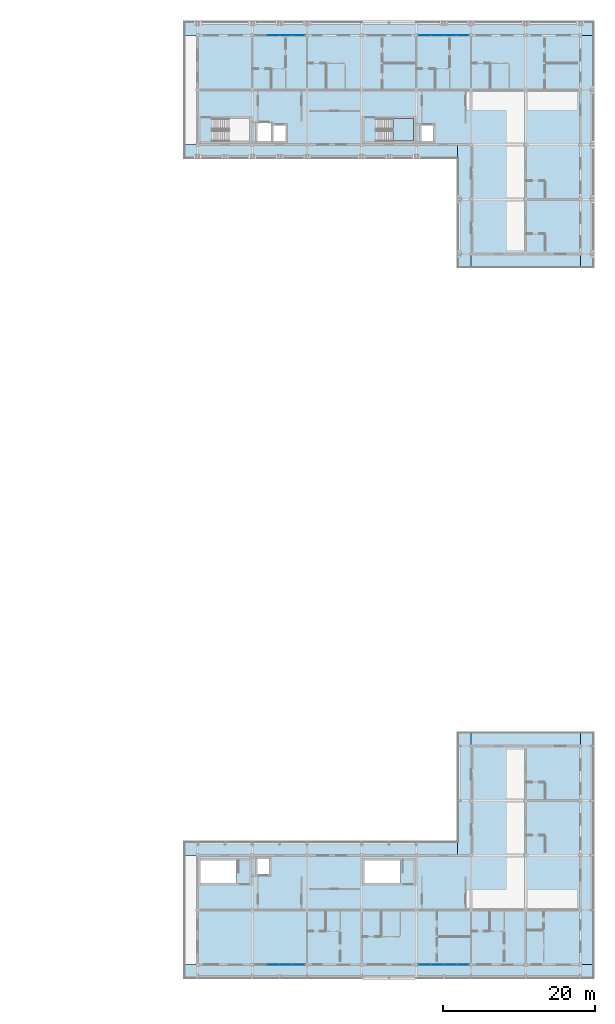
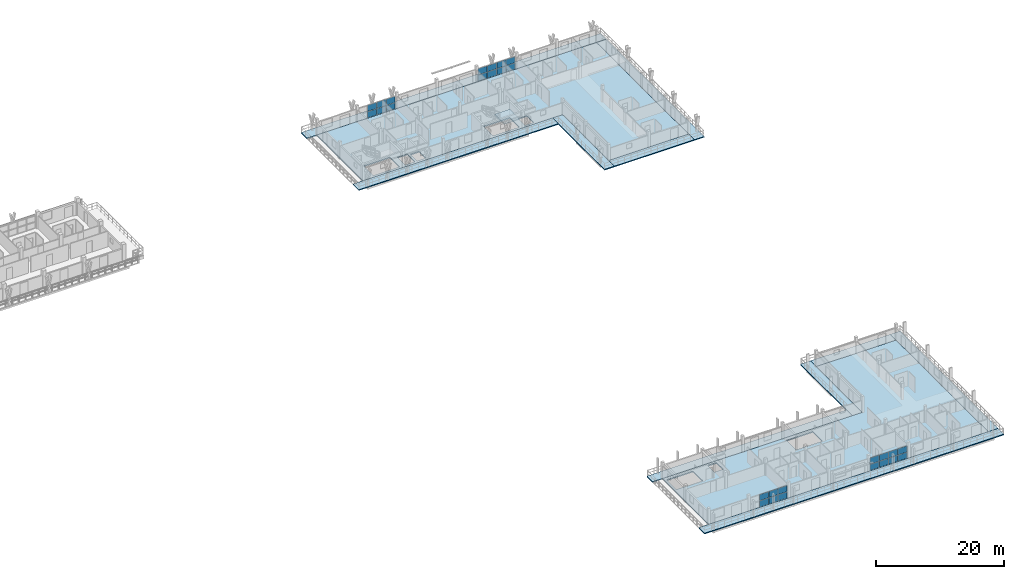
# One storey, part 28 of 56: 28 plates, 13 slabs, 5 elements without a shape of their own.
"""IFC4 building model written with IfcOpenShell, lengths in metres."""

import ifcopenshell
import ifcopenshell.guid

model = None  # the IFC model being written
_history = None  # IfcOwnerHistory: only IFC2X3 demands one
_inside = {}  # id of a spatial element -> (the spatial element, [elements in it])
_under = {}  # id of a project, library or spatial element -> (it, [spatial elements below it])
_declared = {}  # id of a project -> (the project, [libraries it declares])
_typed = {}  # id of a type object -> (the type object, [elements of that type])
_made_of = {}  # id of a material, layer set ... -> (it, [elements and type objects made of it])


def new_model(schema):
    """Start an empty IFC model of exactly this schema.

    Asked for "IFC4X3", IfcOpenShell would pick the latest addendum, in which some entities
    have other attributes; the version numbers below select the first issue.
    IFC2X3 requires an IfcOwnerHistory on every rooted entity: one is made here for all.
    """
    global model, _history
    if schema == "IFC4X3":
        model = ifcopenshell.file(schema_version=(4, 3, 0, 0))
    else:
        model = ifcopenshell.file(schema=schema)
    _inside.clear()
    _under.clear()
    _declared.clear()
    _typed.clear()
    _made_of.clear()
    _history = None
    if model.schema == "IFC2X3":
        org = make("IfcOrganization", Name="unknown")
        user = make(
            "IfcPersonAndOrganization",
            ThePerson=make("IfcPerson", FamilyName="unknown"),
            TheOrganization=org,
        )
        app = make(
            "IfcApplication",
            ApplicationDeveloper=org,
            Version="unknown",
            ApplicationFullName="unknown",
            ApplicationIdentifier="unknown",
        )
        _history = make(
            "IfcOwnerHistory",
            OwningUser=user,
            OwningApplication=app,
            ChangeAction="ADDED",
            CreationDate=0,
        )
    return model


def make(cls, **values):
    """One entity of the class cls with the attributes given. An attribute that is None is left unset."""
    return model.create_entity(
        cls, **{name: value for name, value in values.items() if value is not None}
    )


def rooted(cls, **values):
    """An entity with a GlobalId (a new one), such as an element, a storey or a relation."""
    return make(cls, GlobalId=ifcopenshell.guid.new(), OwnerHistory=_history, **values)


def si_unit(unit_type, name, prefix=None):
    """IfcSIUnit, for example si_unit("LENGTHUNIT", "METRE", prefix="MILLI")."""
    return make("IfcSIUnit", UnitType=unit_type, Prefix=prefix, Name=name)


def assignment(units):
    """IfcUnitAssignment: the units of a project."""
    return None if units is None else make("IfcUnitAssignment", Units=units)


def point(xyz):
    """IfcCartesianPoint."""
    return None if xyz is None else make("IfcCartesianPoint", Coordinates=xyz)


def direction(xyz):
    """IfcDirection."""
    return None if xyz is None else make("IfcDirection", DirectionRatios=xyz)


def frame(location, z_axis=None, x_axis=None):
    """IfcAxis2Placement3D, a coordinate frame: its origin and axes. An axis left out is left unset."""
    return make(
        "IfcAxis2Placement3D",
        Location=point(location),
        Axis=direction(z_axis),
        RefDirection=direction(x_axis),
    )


def frame_2d(location, x_axis=None):
    """IfcAxis2Placement2D, a coordinate frame in the plane: its origin and x axis."""
    return make(
        "IfcAxis2Placement2D", Location=point(location), RefDirection=direction(x_axis)
    )


def origin():
    """The frame at (0, 0, 0) with its axes left unset."""
    return frame((0.0, 0.0, 0.0))


def origin_2d():
    """The frame at (0, 0) in the plane with its x axis left unset."""
    return frame_2d((0.0, 0.0))


def place(relative_to, where):
    """IfcLocalPlacement: puts the frame where relative to a parent placement (None: the world)."""
    return make(
        "IfcLocalPlacement", PlacementRelTo=relative_to, RelativePlacement=where
    )


def context(
    kind, dimensions, precision=None, world=None, true_north=None, identifier=None
):
    """IfcGeometricRepresentationContext, for example the 3D "Model" context."""
    return make(
        "IfcGeometricRepresentationContext",
        ContextIdentifier=identifier,
        ContextType=kind,
        CoordinateSpaceDimension=dimensions,
        Precision=precision,
        WorldCoordinateSystem=world,
        TrueNorth=true_north,
    )


def subcontext(parent, identifier, kind, view, scale=None):
    """IfcGeometricRepresentationSubContext, for example "Body" below "Model"."""
    return make(
        "IfcGeometricRepresentationSubContext",
        ContextIdentifier=identifier,
        ContextType=kind,
        ParentContext=parent,
        TargetScale=scale,
        TargetView=view,
    )


def project(units=None, contexts=None):
    """IfcProject with its units and contexts."""
    return rooted(
        "IfcProject",
        Name="project",
        RepresentationContexts=contexts,
        UnitsInContext=assignment(units),
    )


def spatial(cls, under=None, at=None, **own):
    """A site, building, storey or space (cls), placed at a placement, below another one or the project."""
    s = rooted(cls, ObjectPlacement=at, **own)
    if under is not None:
        _under.setdefault(under.id(), (under, []))[1].append(s)
    return s


def polyline(points):
    """IfcPolyline through the points."""
    return make("IfcPolyline", Points=[point(p) for p in points])


def profile(cls, at=None, kind="AREA", **sizes):
    """A parametric profile (cls). Its sizes go by their IFC names, for example OverallWidth=200.0."""
    return make(cls, ProfileType=kind, Position=at, **sizes)


def rectangle(**sizes):
    """IfcRectangleProfileDef."""
    return profile("IfcRectangleProfileDef", **sizes)


def outline(outer, holes=None, kind="AREA"):
    """IfcArbitraryClosedProfileDef: a profile drawn as a closed curve; with holes, ...WithVoids."""
    if holes is None:
        return make("IfcArbitraryClosedProfileDef", ProfileType=kind, OuterCurve=outer)
    return make(
        "IfcArbitraryProfileDefWithVoids",
        ProfileType=kind,
        OuterCurve=outer,
        InnerCurves=holes,
    )


def extrude(swept, where, along, depth):
    """IfcExtrudedAreaSolid: the profile swept, set in the frame where, extruded along a direction by depth."""
    return make(
        "IfcExtrudedAreaSolid",
        SweptArea=swept,
        Position=where,
        ExtrudedDirection=direction(along),
        Depth=depth,
    )


def shape(context_of_items, identifier, shape_type, items):
    """IfcShapeRepresentation: the items that make up one representation, for example the "Body"."""
    return make(
        "IfcShapeRepresentation",
        ContextOfItems=context_of_items,
        RepresentationIdentifier=identifier,
        RepresentationType=shape_type,
        Items=items,
    )


def material(Name=None, Category=None):
    """IfcMaterial."""
    return make("IfcMaterial", Name=Name, Category=Category)


def layer(
    of_material, thickness, ventilated=None, Name=None, Category=None, Priority=None
):
    """IfcMaterialLayer: one layer of a wall or slab, of a material (None: an air gap)."""
    return make(
        "IfcMaterialLayer",
        Material=of_material,
        LayerThickness=thickness,
        IsVentilated=ventilated,
        Name=Name,
        Category=Category,
        Priority=Priority,
    )


def layer_set(layers, Name=None):
    """IfcMaterialLayerSet."""
    return make("IfcMaterialLayerSet", MaterialLayers=layers, LayerSetName=Name)


def made_of(thing, what):
    """Note that an element or type object is made of a material, layer set ...; save() writes the relation."""
    if what is not None:
        _made_of.setdefault(what.id(), (what, []))[1].append(thing)
    return thing


def type_object(cls, material=None, **own):
    """A type object (cls), such as IfcWallType, which elements share."""
    return made_of(rooted(cls, **own), material)


def element(
    cls,
    number,
    at=None,
    inside=None,
    cuts=None,
    type_object=None,
    material=None,
    context=None,
    identifier="Body",
    shape_type=None,
    held_by="IfcProductDefinitionShape",
    body=None,
    shapes=None,
    **own,
):
    """One element of the class cls, such as IfcWall. Its Tag is "e" and its number.

    at: its placement. inside: the storey or other place that contains it. cuts: it is an
    opening in that element (IfcRelVoidsElement). A single representation is given by context,
    identifier, shape_type and body (its items); several are given by shapes. held_by: the class
    of the entity that holds the representations. save() writes the other relations.
    """
    e = rooted(cls, Tag="e%d" % number, ObjectPlacement=at, **own)
    if body is not None:
        shapes = [shape(context, identifier, shape_type, body)]
    if shapes is not None:
        e.Representation = make(held_by, Representations=shapes)
    if inside is not None:
        _inside.setdefault(inside.id(), (inside, []))[1].append(e)
    if cuts is not None:
        rooted(
            "IfcRelVoidsElement", RelatingBuildingElement=cuts, RelatedOpeningElement=e
        )
    if type_object is not None:
        _typed.setdefault(type_object.id(), (type_object, []))[1].append(e)
    return made_of(e, material)


def aggregate(whole, parts):
    """IfcRelAggregates: a whole, such as a stair, and the parts it consists of."""
    return rooted("IfcRelAggregates", RelatingObject=whole, RelatedObjects=parts)


def save(model, path):
    """Write the relations noted so far, then the file.

    IfcRelAggregates (storeys below a building ...), IfcRelContainedInSpatialStructure (elements
    in a storey), IfcRelDefinesByType, IfcRelAssociatesMaterial and IfcRelDeclares: one each for
    every whole, place, type object, material and project.
    """
    for whole, parts in _under.values():
        aggregate(whole, parts)
    for where, things in _inside.values():
        rooted(
            "IfcRelContainedInSpatialStructure",
            RelatedElements=things,
            RelatingStructure=where,
        )
    for kind, things in _typed.values():
        rooted("IfcRelDefinesByType", RelatedObjects=things, RelatingType=kind)
    for what, things in _made_of.values():
        rooted("IfcRelAssociatesMaterial", RelatedObjects=things, RelatingMaterial=what)
    for by, libraries in _declared.values():
        rooted("IfcRelDeclares", RelatingContext=by, RelatedDefinitions=libraries)
    model.write(path)


model = new_model("IFC4")

# Units and contexts
model_context = context("Model", 3, precision=1e-05, world=origin(), true_north=direction((0.0, 1.0)))
body_context = subcontext(model_context, "Body", "Model", "MODEL_VIEW")
ifc_project = project(units=[si_unit("LENGTHUNIT", "METRE"), si_unit("AREAUNIT", "SQUARE_METRE"), si_unit("VOLUMEUNIT", "CUBIC_METRE"), si_unit("PLANEANGLEUNIT", "RADIAN"), si_unit("MASSUNIT", "GRAM", prefix="KILO")], contexts=[model_context])

# Site, building, storey
site_placement = place(None, origin())
site = spatial("IfcSite", under=ifc_project, at=site_placement, CompositionType="ELEMENT")
building_placement = place(site_placement, origin())
building = spatial("IfcBuilding", under=site, at=building_placement, Name="Suanplinth Sawtooth Commons", CompositionType="ELEMENT")
storey_placement = place(building_placement, frame((0.0, 0.0, 34.800048828125)))
storey = spatial("IfcBuildingStorey", under=building, at=storey_placement, Name="L10", CompositionType="ELEMENT", Elevation=34.800048828125)

# Curtain wall, plates
ifc_material_1 = material(Name="Anodized aluminium and low-E glazing", Category="aluminium")
curtain_wall_type = type_object("IfcCurtainWallType", Name="CW-06", PredefinedType="USERDEFINED", material=ifc_material_1)
curtain_wall_1_placement = place(storey_placement, origin())
curtain_wall_1 = element("IfcCurtainWall", 1, at=curtain_wall_1_placement, inside=storey, type_object=curtain_wall_type, Name="Curtain Wall CW-L10-B-LOUNGE-20", ObjectType="CURTAIN WALL", PredefinedType="USERDEFINED")
ifc_material_2 = material(Name="Tempered low-E double glazing", Category="glass")
ifc_layer_1 = layer(ifc_material_2, 0.028076171875, Name="Vision low-E insulated glazing unit 28mm")
ifc_layer_set_1 = layer_set([ifc_layer_1], Name="Tempered low-E double glazing")
plate_type = type_object("IfcPlateType", Name="PL-05", PredefinedType="CURTAIN_PANEL", material=ifc_layer_set_1)
plate_1_placement = place(storey_placement, frame((146.75634765625, 122.39990234375, 0.06494140625), z_axis=(0.0, 0.0, 1.0), x_axis=(1.0, 0.0, 0.0)))
plate_1 = element("IfcPlate", 2, at=plate_1_placement, type_object=plate_type, Name="CW-06 panel 2.1", PredefinedType="CURTAIN_PANEL", context=body_context, shape_type="SweptSolid", body=[
    extrude(rectangle(XDim=1.62255859375, YDim=0.028076171875, at=origin_2d()), origin(), (0.0, 0.0, 1.0), 1.157470703125),
])
plate_2_placement = place(storey_placement, frame((146.75634765625, 122.39990234375, 1.28759765625), z_axis=(0.0, 0.0, 1.0), x_axis=(1.0, 0.0, 0.0)))
plate_2 = element("IfcPlate", 3, at=plate_2_placement, type_object=plate_type, Name="CW-06 panel 2.2", PredefinedType="CURTAIN_PANEL", context=body_context, shape_type="SweptSolid", body=[
    extrude(rectangle(XDim=1.62255859375, YDim=0.028076171875, at=origin_2d()), origin(), (0.0, 0.0, 1.0), 1.157470703125),
])
plate_3_placement = place(storey_placement, frame((148.44384765625, 122.39990234375, 0.06494140625), z_axis=(0.0, 0.0, 1.0), x_axis=(1.0, 0.0, 0.0)))
plate_3 = element("IfcPlate", 4, at=plate_3_placement, type_object=plate_type, Name="CW-06 panel 3.1", PredefinedType="CURTAIN_PANEL", context=body_context, shape_type="SweptSolid", body=[
    extrude(rectangle(XDim=1.62255859375, YDim=0.028076171875, at=origin_2d()), origin(), (0.0, 0.0, 1.0), 1.157470703125),
])
plate_4_placement = place(storey_placement, frame((148.44384765625, 122.39990234375, 1.28759765625), z_axis=(0.0, 0.0, 1.0), x_axis=(1.0, 0.0, 0.0)))
plate_4 = element("IfcPlate", 5, at=plate_4_placement, type_object=plate_type, Name="CW-06 panel 3.2", PredefinedType="CURTAIN_PANEL", context=body_context, shape_type="SweptSolid", body=[
    extrude(rectangle(XDim=1.62255859375, YDim=0.028076171875, at=origin_2d()), origin(), (0.0, 0.0, 1.0), 1.157470703125),
])
plate_5_placement = place(storey_placement, frame((150.114990234375, 122.39990234375, 0.06494140625), z_axis=(0.0, 0.0, 1.0), x_axis=(1.0, 0.0, 0.0)))
plate_5 = element("IfcPlate", 6, at=plate_5_placement, type_object=plate_type, Name="CW-06 panel 4.1", PredefinedType="CURTAIN_PANEL", context=body_context, shape_type="SweptSolid", body=[
    extrude(rectangle(XDim=1.590087890625, YDim=0.028076171875, at=origin_2d()), origin(), (0.0, 0.0, 1.0), 1.157470703125),
])
plate_6_placement = place(storey_placement, frame((150.114990234375, 122.39990234375, 1.28759765625), z_axis=(0.0, 0.0, 1.0), x_axis=(1.0, 0.0, 0.0)))
plate_6 = element("IfcPlate", 7, at=plate_6_placement, type_object=plate_type, Name="CW-06 panel 4.2", PredefinedType="CURTAIN_PANEL", context=body_context, shape_type="SweptSolid", body=[
    extrude(rectangle(XDim=1.590087890625, YDim=0.028076171875, at=origin_2d()), origin(), (0.0, 0.0, 1.0), 1.157470703125),
])
aggregate(curtain_wall_1, [plate_1, plate_2, plate_3, plate_4, plate_5, plate_6])

curtain_wall_2_placement = place(storey_placement, origin())
curtain_wall_2 = element("IfcCurtainWall", 8, at=curtain_wall_2_placement, inside=storey, type_object=curtain_wall_type, Name="Curtain Wall CW-L10-B-LOUNGE-23", ObjectType="CURTAIN WALL", PredefinedType="USERDEFINED")
plate_7_placement = place(storey_placement, frame((166.68505859375, 122.39990234375, 0.06494140625), z_axis=(0.0, 0.0, 1.0), x_axis=(1.0, 0.0, 0.0)))
plate_7 = element("IfcPlate", 9, at=plate_7_placement, type_object=plate_type, Name="CW-06 panel 1.1", PredefinedType="CURTAIN_PANEL", context=body_context, shape_type="SweptSolid", body=[
    extrude(rectangle(XDim=1.590087890625, YDim=0.028076171875, at=origin_2d()), origin(), (0.0, 0.0, 1.0), 1.157470703125),
])
plate_8_placement = place(storey_placement, frame((166.68505859375, 122.39990234375, 1.28759765625), z_axis=(0.0, 0.0, 1.0), x_axis=(1.0, 0.0, 0.0)))
plate_8 = element("IfcPlate", 10, at=plate_8_placement, type_object=plate_type, Name="CW-06 panel 1.2", PredefinedType="CURTAIN_PANEL", context=body_context, shape_type="SweptSolid", body=[
    extrude(rectangle(XDim=1.590087890625, YDim=0.028076171875, at=origin_2d()), origin(), (0.0, 0.0, 1.0), 1.157470703125),
])
plate_9_placement = place(storey_placement, frame((168.356201171875, 122.39990234375, 0.06494140625), z_axis=(0.0, 0.0, 1.0), x_axis=(1.0, 0.0, 0.0)))
plate_9 = element("IfcPlate", 11, at=plate_9_placement, type_object=plate_type, Name="CW-06 panel 2.1", PredefinedType="CURTAIN_PANEL", context=body_context, shape_type="SweptSolid", body=[
    extrude(rectangle(XDim=1.62255859375, YDim=0.028076171875, at=origin_2d()), origin(), (0.0, 0.0, 1.0), 1.157470703125),
])
plate_10_placement = place(storey_placement, frame((168.356201171875, 122.39990234375, 1.28759765625), z_axis=(0.0, 0.0, 1.0), x_axis=(1.0, 0.0, 0.0)))
plate_10 = element("IfcPlate", 12, at=plate_10_placement, type_object=plate_type, Name="CW-06 panel 2.2", PredefinedType="CURTAIN_PANEL", context=body_context, shape_type="SweptSolid", body=[
    extrude(rectangle(XDim=1.62255859375, YDim=0.028076171875, at=origin_2d()), origin(), (0.0, 0.0, 1.0), 1.157470703125),
])
plate_11_placement = place(storey_placement, frame((170.043701171875, 122.39990234375, 0.06494140625), z_axis=(0.0, 0.0, 1.0), x_axis=(1.0, 0.0, 0.0)))
plate_11 = element("IfcPlate", 13, at=plate_11_placement, type_object=plate_type, Name="CW-06 panel 3.1", PredefinedType="CURTAIN_PANEL", context=body_context, shape_type="SweptSolid", body=[
    extrude(rectangle(XDim=1.62255859375, YDim=0.028076171875, at=origin_2d()), origin(), (0.0, 0.0, 1.0), 1.157470703125),
])
plate_12_placement = place(storey_placement, frame((170.043701171875, 122.39990234375, 1.28759765625), z_axis=(0.0, 0.0, 1.0), x_axis=(1.0, 0.0, 0.0)))
plate_12 = element("IfcPlate", 14, at=plate_12_placement, type_object=plate_type, Name="CW-06 panel 3.2", PredefinedType="CURTAIN_PANEL", context=body_context, shape_type="SweptSolid", body=[
    extrude(rectangle(XDim=1.62255859375, YDim=0.028076171875, at=origin_2d()), origin(), (0.0, 0.0, 1.0), 1.157470703125),
])
plate_13_placement = place(storey_placement, frame((171.715087890625, 122.39990234375, 0.06494140625), z_axis=(0.0, 0.0, 1.0), x_axis=(1.0, 0.0, 0.0)))
plate_13 = element("IfcPlate", 15, at=plate_13_placement, type_object=plate_type, Name="CW-06 panel 4.1", PredefinedType="CURTAIN_PANEL", context=body_context, shape_type="SweptSolid", body=[
    extrude(rectangle(XDim=1.590087890625, YDim=0.028076171875, at=origin_2d()), origin(), (0.0, 0.0, 1.0), 1.157470703125),
])
plate_14_placement = place(storey_placement, frame((171.715087890625, 122.39990234375, 1.28759765625), z_axis=(0.0, 0.0, 1.0), x_axis=(1.0, 0.0, 0.0)))
plate_14 = element("IfcPlate", 16, at=plate_14_placement, type_object=plate_type, Name="CW-06 panel 4.2", PredefinedType="CURTAIN_PANEL", context=body_context, shape_type="SweptSolid", body=[
    extrude(rectangle(XDim=1.590087890625, YDim=0.028076171875, at=origin_2d()), origin(), (0.0, 0.0, 1.0), 1.157470703125),
])
aggregate(curtain_wall_2, [plate_7, plate_8, plate_9, plate_10, plate_11, plate_12, plate_13, plate_14])

curtain_wall_3_placement = place(storey_placement, origin())
curtain_wall_3 = element("IfcCurtainWall", 17, at=curtain_wall_3_placement, inside=storey, type_object=curtain_wall_type, Name="Curtain Wall CW-L10-C-LOUNGE-20", ObjectType="CURTAIN WALL", PredefinedType="USERDEFINED")
plate_15_placement = place(storey_placement, frame((146.75634765625, 0.0, 0.06494140625), z_axis=(0.0, 0.0, 1.0), x_axis=(1.0, 0.0, 0.0)))
plate_15 = element("IfcPlate", 18, at=plate_15_placement, type_object=plate_type, Name="CW-06 panel 2.1", PredefinedType="CURTAIN_PANEL", context=body_context, shape_type="SweptSolid", body=[
    extrude(rectangle(XDim=1.62255859375, YDim=0.028076171875, at=origin_2d()), origin(), (0.0, 0.0, 1.0), 1.157470703125),
])
plate_16_placement = place(storey_placement, frame((146.75634765625, 0.0, 1.28759765625), z_axis=(0.0, 0.0, 1.0), x_axis=(1.0, 0.0, 0.0)))
plate_16 = element("IfcPlate", 19, at=plate_16_placement, type_object=plate_type, Name="CW-06 panel 2.2", PredefinedType="CURTAIN_PANEL", context=body_context, shape_type="SweptSolid", body=[
    extrude(rectangle(XDim=1.62255859375, YDim=0.028076171875, at=origin_2d()), origin(), (0.0, 0.0, 1.0), 1.157470703125),
])
plate_17_placement = place(storey_placement, frame((148.44384765625, 0.0, 0.06494140625), z_axis=(0.0, 0.0, 1.0), x_axis=(1.0, 0.0, 0.0)))
plate_17 = element("IfcPlate", 20, at=plate_17_placement, type_object=plate_type, Name="CW-06 panel 3.1", PredefinedType="CURTAIN_PANEL", context=body_context, shape_type="SweptSolid", body=[
    extrude(rectangle(XDim=1.62255859375, YDim=0.028076171875, at=origin_2d()), origin(), (0.0, 0.0, 1.0), 1.157470703125),
])
plate_18_placement = place(storey_placement, frame((148.44384765625, 0.0, 1.28759765625), z_axis=(0.0, 0.0, 1.0), x_axis=(1.0, 0.0, 0.0)))
plate_18 = element("IfcPlate", 21, at=plate_18_placement, type_object=plate_type, Name="CW-06 panel 3.2", PredefinedType="CURTAIN_PANEL", context=body_context, shape_type="SweptSolid", body=[
    extrude(rectangle(XDim=1.62255859375, YDim=0.028076171875, at=origin_2d()), origin(), (0.0, 0.0, 1.0), 1.157470703125),
])
plate_19_placement = place(storey_placement, frame((150.114990234375, 0.0, 0.06494140625), z_axis=(0.0, 0.0, 1.0), x_axis=(1.0, 0.0, 0.0)))
plate_19 = element("IfcPlate", 22, at=plate_19_placement, type_object=plate_type, Name="CW-06 panel 4.1", PredefinedType="CURTAIN_PANEL", context=body_context, shape_type="SweptSolid", body=[
    extrude(rectangle(XDim=1.590087890625, YDim=0.028076171875, at=origin_2d()), origin(), (0.0, 0.0, 1.0), 1.157470703125),
])
plate_20_placement = place(storey_placement, frame((150.114990234375, 0.0, 1.28759765625), z_axis=(0.0, 0.0, 1.0), x_axis=(1.0, 0.0, 0.0)))
plate_20 = element("IfcPlate", 23, at=plate_20_placement, type_object=plate_type, Name="CW-06 panel 4.2", PredefinedType="CURTAIN_PANEL", context=body_context, shape_type="SweptSolid", body=[
    extrude(rectangle(XDim=1.590087890625, YDim=0.028076171875, at=origin_2d()), origin(), (0.0, 0.0, 1.0), 1.157470703125),
])
aggregate(curtain_wall_3, [plate_15, plate_16, plate_17, plate_18, plate_19, plate_20])

curtain_wall_4_placement = place(storey_placement, origin())
curtain_wall_4 = element("IfcCurtainWall", 24, at=curtain_wall_4_placement, inside=storey, type_object=curtain_wall_type, Name="Curtain Wall CW-L10-C-LOUNGE-23", ObjectType="CURTAIN WALL", PredefinedType="USERDEFINED")
plate_21_placement = place(storey_placement, frame((166.68505859375, 0.0, 0.06494140625), z_axis=(0.0, 0.0, 1.0), x_axis=(1.0, 0.0, 0.0)))
plate_21 = element("IfcPlate", 25, at=plate_21_placement, type_object=plate_type, Name="CW-06 panel 1.1", PredefinedType="CURTAIN_PANEL", context=body_context, shape_type="SweptSolid", body=[
    extrude(rectangle(XDim=1.590087890625, YDim=0.028076171875, at=origin_2d()), origin(), (0.0, 0.0, 1.0), 1.157470703125),
])
plate_22_placement = place(storey_placement, frame((166.68505859375, 0.0, 1.28759765625), z_axis=(0.0, 0.0, 1.0), x_axis=(1.0, 0.0, 0.0)))
plate_22 = element("IfcPlate", 26, at=plate_22_placement, type_object=plate_type, Name="CW-06 panel 1.2", PredefinedType="CURTAIN_PANEL", context=body_context, shape_type="SweptSolid", body=[
    extrude(rectangle(XDim=1.590087890625, YDim=0.028076171875, at=origin_2d()), origin(), (0.0, 0.0, 1.0), 1.157470703125),
])
plate_23_placement = place(storey_placement, frame((168.356201171875, 0.0, 0.06494140625), z_axis=(0.0, 0.0, 1.0), x_axis=(1.0, 0.0, 0.0)))
plate_23 = element("IfcPlate", 27, at=plate_23_placement, type_object=plate_type, Name="CW-06 panel 2.1", PredefinedType="CURTAIN_PANEL", context=body_context, shape_type="SweptSolid", body=[
    extrude(rectangle(XDim=1.62255859375, YDim=0.028076171875, at=origin_2d()), origin(), (0.0, 0.0, 1.0), 1.157470703125),
])
plate_24_placement = place(storey_placement, frame((168.356201171875, 0.0, 1.28759765625), z_axis=(0.0, 0.0, 1.0), x_axis=(1.0, 0.0, 0.0)))
plate_24 = element("IfcPlate", 28, at=plate_24_placement, type_object=plate_type, Name="CW-06 panel 2.2", PredefinedType="CURTAIN_PANEL", context=body_context, shape_type="SweptSolid", body=[
    extrude(rectangle(XDim=1.62255859375, YDim=0.028076171875, at=origin_2d()), origin(), (0.0, 0.0, 1.0), 1.157470703125),
])
plate_25_placement = place(storey_placement, frame((170.043701171875, 0.0, 0.06494140625), z_axis=(0.0, 0.0, 1.0), x_axis=(1.0, 0.0, 0.0)))
plate_25 = element("IfcPlate", 29, at=plate_25_placement, type_object=plate_type, Name="CW-06 panel 3.1", PredefinedType="CURTAIN_PANEL", context=body_context, shape_type="SweptSolid", body=[
    extrude(rectangle(XDim=1.62255859375, YDim=0.028076171875, at=origin_2d()), origin(), (0.0, 0.0, 1.0), 1.157470703125),
])
plate_26_placement = place(storey_placement, frame((170.043701171875, 0.0, 1.28759765625), z_axis=(0.0, 0.0, 1.0), x_axis=(1.0, 0.0, 0.0)))
plate_26 = element("IfcPlate", 30, at=plate_26_placement, type_object=plate_type, Name="CW-06 panel 3.2", PredefinedType="CURTAIN_PANEL", context=body_context, shape_type="SweptSolid", body=[
    extrude(rectangle(XDim=1.62255859375, YDim=0.028076171875, at=origin_2d()), origin(), (0.0, 0.0, 1.0), 1.157470703125),
])
plate_27_placement = place(storey_placement, frame((171.715087890625, 0.0, 0.06494140625), z_axis=(0.0, 0.0, 1.0), x_axis=(1.0, 0.0, 0.0)))
plate_27 = element("IfcPlate", 31, at=plate_27_placement, type_object=plate_type, Name="CW-06 panel 4.1", PredefinedType="CURTAIN_PANEL", context=body_context, shape_type="SweptSolid", body=[
    extrude(rectangle(XDim=1.590087890625, YDim=0.028076171875, at=origin_2d()), origin(), (0.0, 0.0, 1.0), 1.157470703125),
])
plate_28_placement = place(storey_placement, frame((171.715087890625, 0.0, 1.28759765625), z_axis=(0.0, 0.0, 1.0), x_axis=(1.0, 0.0, 0.0)))
plate_28 = element("IfcPlate", 32, at=plate_28_placement, type_object=plate_type, Name="CW-06 panel 4.2", PredefinedType="CURTAIN_PANEL", context=body_context, shape_type="SweptSolid", body=[
    extrude(rectangle(XDim=1.590087890625, YDim=0.028076171875, at=origin_2d()), origin(), (0.0, 0.0, 1.0), 1.157470703125),
])
aggregate(curtain_wall_4, [plate_21, plate_22, plate_23, plate_24, plate_25, plate_26, plate_27, plate_28])

# Slabs
ifc_material_3 = material(Name="Precast concrete C40/50", Category="concrete")
ifc_layer_2 = layer(ifc_material_3, 0.179931640625, Name="Wrap-around cantilevered precast balcony slab 180mm")
ifc_layer_set_2 = layer_set([ifc_layer_2], Name="Precast concrete C40/50")
slab_type_1 = type_object("IfcSlabType", Name="S-BL01", PredefinedType="FLOOR", material=ifc_layer_set_2)
slab_1_placement = place(storey_placement, frame((0.0, 0.0, -0.179931640625)))
element("IfcSlab", 33, at=slab_1_placement, inside=storey, type_object=slab_type_1, Name="L10 Block B Wrap-Around Balcony N", PredefinedType="FLOOR", context=body_context, shape_type="SweptSolid", body=[
    extrude(outline(polyline([(135.0, 122.39990234375), (135.0, 124.199951171875), (189.0, 124.199951171875), (189.0, 122.39990234375), (135.0, 122.39990234375)])), origin(), (0.0, 0.0, 1.0), 0.179931640625),
])
slab_2_placement = place(storey_placement, frame((0.0, 0.0, -0.179931640625)))
element("IfcSlab", 34, at=slab_2_placement, inside=storey, type_object=slab_type_1, Name="L10 Block B Wrap-Around Balcony E", PredefinedType="FLOOR", context=body_context, shape_type="SweptSolid", body=[
    extrude(outline(polyline([(189.0, 122.39990234375), (189.0, 91.800048828125), (187.199951171875, 91.800048828125), (187.199951171875, 122.39990234375), (189.0, 122.39990234375)])), origin(), (0.0, 0.0, 1.0), 0.179931640625),
])
slab_3_placement = place(storey_placement, frame((0.0, 0.0, -0.179931640625)))
element("IfcSlab", 35, at=slab_3_placement, inside=storey, type_object=slab_type_1, Name="L10 Block B Wrap-Around Balcony SEND", PredefinedType="FLOOR", context=body_context, shape_type="SweptSolid", body=[
    extrude(outline(polyline([(187.199951171875, 91.800048828125), (172.800048828125, 91.800048828125), (172.800048828125, 93.60009765625), (187.199951171875, 93.60009765625), (187.199951171875, 91.800048828125)])), origin(), (0.0, 0.0, 1.0), 0.179931640625),
])
slab_4_placement = place(storey_placement, frame((0.0, 0.0, -0.179931640625)))
element("IfcSlab", 36, at=slab_4_placement, inside=storey, type_object=slab_type_1, Name="L10 Block C Wrap-Around Balcony S", PredefinedType="FLOOR", context=body_context, shape_type="SweptSolid", body=[
    extrude(outline(polyline([(189.0, 0.0), (189.0, -1.800048828125), (135.0, -1.800048828125), (135.0, 0.0), (189.0, 0.0)])), origin(), (0.0, 0.0, 1.0), 0.179931640625),
])
slab_5_placement = place(storey_placement, frame((0.0, 0.0, -0.179931640625)))
element("IfcSlab", 37, at=slab_5_placement, inside=storey, type_object=slab_type_1, Name="L10 Block C Wrap-Around Balcony E", PredefinedType="FLOOR", context=body_context, shape_type="SweptSolid", body=[
    extrude(outline(polyline([(187.199951171875, 30.60009765625), (189.0, 30.60009765625), (189.0, 0.0), (187.199951171875, 0.0), (187.199951171875, 30.60009765625)])), origin(), (0.0, 0.0, 1.0), 0.179931640625),
])
slab_6_placement = place(storey_placement, frame((0.0, 0.0, -0.179931640625)))
element("IfcSlab", 38, at=slab_6_placement, inside=storey, type_object=slab_type_1, Name="L10 Block C Wrap-Around Balcony NEND", PredefinedType="FLOOR", context=body_context, shape_type="SweptSolid", body=[
    extrude(outline(polyline([(172.800048828125, 30.60009765625), (187.199951171875, 30.60009765625), (187.199951171875, 28.800048828125), (172.800048828125, 28.800048828125), (172.800048828125, 30.60009765625)])), origin(), (0.0, 0.0, 1.0), 0.179931640625),
])
ifc_layer_3 = layer(ifc_material_3, 0.175048828125, Name="Courtyard cantilevered precast balcony slab 175mm")
ifc_layer_set_3 = layer_set([ifc_layer_3], Name="Precast concrete C40/50")
slab_type_2 = type_object("IfcSlabType", Name="S-BL02", PredefinedType="FLOOR", material=ifc_layer_set_3)
slab_7_placement = place(storey_placement, frame((0.0, 0.0, -0.175048828125)))
element("IfcSlab", 39, at=slab_7_placement, inside=storey, type_object=slab_type_2, Name="L10 Block B Wrap-Around Balcony SC", PredefinedType="FLOOR", context=body_context, shape_type="SweptSolid", body=[
    extrude(outline(polyline([(171.0, 106.199951171875), (135.0, 106.199951171875), (135.0, 108.0), (171.0, 108.0), (171.0, 106.199951171875)])), origin(), (0.0, 0.0, 1.0), 0.175048828125),
])
slab_8_placement = place(storey_placement, frame((0.0, 0.0, -0.175048828125)))
element("IfcSlab", 40, at=slab_8_placement, inside=storey, type_object=slab_type_2, Name="L10 Block B Wrap-Around Balcony WC", PredefinedType="FLOOR", context=body_context, shape_type="SweptSolid", body=[
    extrude(outline(polyline([(172.800048828125, 91.800048828125), (171.0, 91.800048828125), (171.0, 108.0), (172.800048828125, 108.0), (172.800048828125, 91.800048828125)])), origin(), (0.0, 0.0, 1.0), 0.175048828125),
])
slab_9_placement = place(storey_placement, frame((0.0, 0.0, -0.175048828125)))
element("IfcSlab", 41, at=slab_9_placement, inside=storey, type_object=slab_type_2, Name="L10 Block C Wrap-Around Balcony NC", PredefinedType="FLOOR", context=body_context, shape_type="SweptSolid", body=[
    extrude(outline(polyline([(135.0, 14.39990234375), (135.0, 16.199951171875), (171.0, 16.199951171875), (171.0, 14.39990234375), (135.0, 14.39990234375)])), origin(), (0.0, 0.0, 1.0), 0.175048828125),
])
slab_10_placement = place(storey_placement, frame((0.0, 0.0, -0.175048828125)))
element("IfcSlab", 42, at=slab_10_placement, inside=storey, type_object=slab_type_2, Name="L10 Block C Wrap-Around Balcony WC", PredefinedType="FLOOR", context=body_context, shape_type="SweptSolid", body=[
    extrude(outline(polyline([(172.800048828125, 14.39990234375), (171.0, 14.39990234375), (171.0, 30.60009765625), (172.800048828125, 30.60009765625), (172.800048828125, 14.39990234375)])), origin(), (0.0, 0.0, 1.0), 0.175048828125),
])
ifc_layer_4 = layer(ifc_material_3, 0.219970703125, Name="Precast hollow-core + topping floor slab 220mm")
ifc_layer_set_4 = layer_set([ifc_layer_4], Name="Precast concrete C40/50")
slab_type_3 = type_object("IfcSlabType", Name="S-FL03", PredefinedType="FLOOR", material=ifc_layer_set_4)
slab_11_placement = place(storey_placement, frame((0.0, 0.0, -0.219970703125)))
element("IfcSlab", 43, at=slab_11_placement, inside=storey, type_object=slab_type_3, Name="L10 Block B Structural Floor Plate", PredefinedType="FLOOR", context=body_context, shape_type="SweptSolid", body=[
    extrude(outline(polyline([(172.800048828125, 108.0), (136.800048828125, 108.0), (136.800048828125, 122.39990234375), (187.199951171875, 122.39990234375), (187.199951171875, 93.60009765625), (172.800048828125, 93.60009765625), (172.800048828125, 108.0)]), holes=[polyline([(138.889892578125, 108.449951171875), (143.64990234375, 108.449951171875), (143.64990234375, 111.449951171875), (138.889892578125, 111.449951171875), (138.889892578125, 108.449951171875)]), polyline([(144.64990234375, 108.449951171875), (146.449951171875, 108.449951171875), (146.449951171875, 110.85009765625), (144.64990234375, 110.85009765625), (144.64990234375, 108.449951171875)]), polyline([(146.800048828125, 108.449951171875), (148.39990234375, 108.449951171875), (148.39990234375, 110.550048828125), (146.800048828125, 110.550048828125), (146.800048828125, 108.449951171875)]), polyline([(160.489990234375, 108.449951171875), (165.25, 108.449951171875), (165.25, 111.449951171875), (160.489990234375, 111.449951171875), (160.489990234375, 108.449951171875)]), polyline([(166.25, 108.449951171875), (167.85009765625, 108.449951171875), (167.85009765625, 110.550048828125), (166.25, 110.550048828125), (166.25, 108.449951171875)])]), origin(), (0.0, 0.0, 1.0), 0.219970703125),
])
slab_12_placement = place(storey_placement, frame((0.0, 0.0, -0.219970703125)))
element("IfcSlab", 44, at=slab_12_placement, inside=storey, type_object=slab_type_3, Name="L10 Block C Structural Floor Plate", PredefinedType="FLOOR", context=body_context, shape_type="SweptSolid", body=[
    extrude(outline(polyline([(187.199951171875, 0.0), (136.800048828125, 0.0), (136.800048828125, 14.39990234375), (172.800048828125, 14.39990234375), (172.800048828125, 28.800048828125), (187.199951171875, 28.800048828125), (187.199951171875, 0.0)]), holes=[polyline([(137.14990234375, 10.75), (141.909912109375, 10.75), (141.909912109375, 13.75), (137.14990234375, 13.75), (137.14990234375, 10.75)]), polyline([(144.64990234375, 11.85009765625), (146.25, 11.85009765625), (146.25, 13.949951171875), (144.64990234375, 13.949951171875), (144.64990234375, 11.85009765625)]), polyline([(158.75, 10.75), (163.510009765625, 10.75), (163.510009765625, 13.75), (158.75, 13.75), (158.75, 10.75)])]), origin(), (0.0, 0.0, 1.0), 0.219970703125),
])

# Stair, slab
ifc_material_4 = material(Name="Concrete C40/50", Category="concrete")
stair_type = type_object("IfcStairType", Name="ST-07", PredefinedType="USERDEFINED", material=ifc_material_4)
stair_placement = place(storey_placement, origin())
stair = element("IfcStair", 45, at=stair_placement, inside=storey, type_object=stair_type, Name="L10 Exit Stair ST-E2", ObjectType="TWO_RETURN_STAIR", PredefinedType="USERDEFINED")
ifc_layer_5 = layer(ifc_material_4, 0.199951171875, Name="Reinforced concrete stair and ramp landing slab 200mm")
ifc_layer_set_5 = layer_set([ifc_layer_5], Name="Concrete C40/50")
slab_type_4 = type_object("IfcSlabType", Name="S-LD01", PredefinedType="LANDING", material=ifc_layer_set_5)
slab_13_placement = place(storey_placement, frame((0.0, 0.0, 1.39990234375)))
slab_13 = element("IfcSlab", 46, at=slab_13_placement, type_object=slab_type_4, Name="ST-07 landing 1", PredefinedType="LANDING", context=body_context, shape_type="SweptSolid", body=[
    extrude(outline(polyline([(162.530029296875, 108.449951171875), (165.25, 108.449951171875), (165.25, 111.449951171875), (162.530029296875, 111.449951171875), (162.530029296875, 108.449951171875)])), origin(), (0.0, 0.0, 1.0), 0.199951171875),
])
aggregate(stair, [slab_13])

save(model, "model.ifc")
